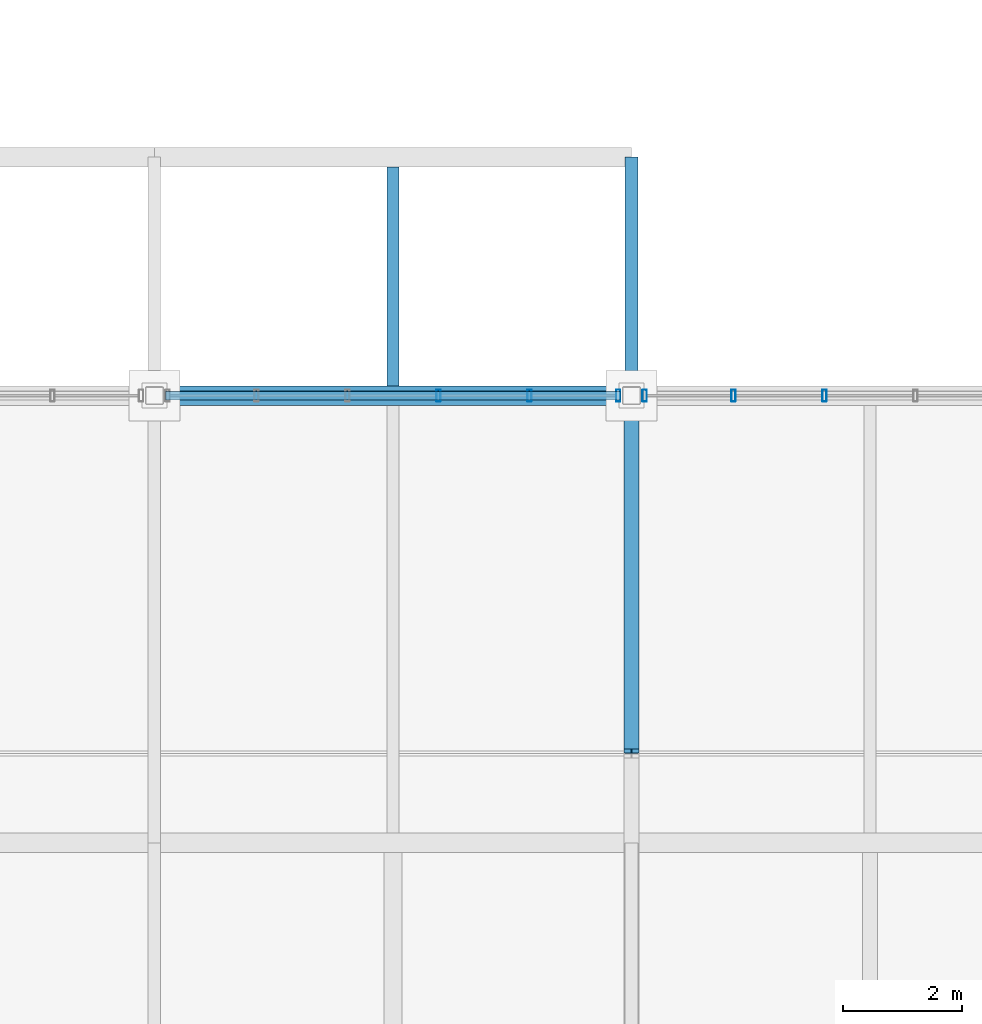
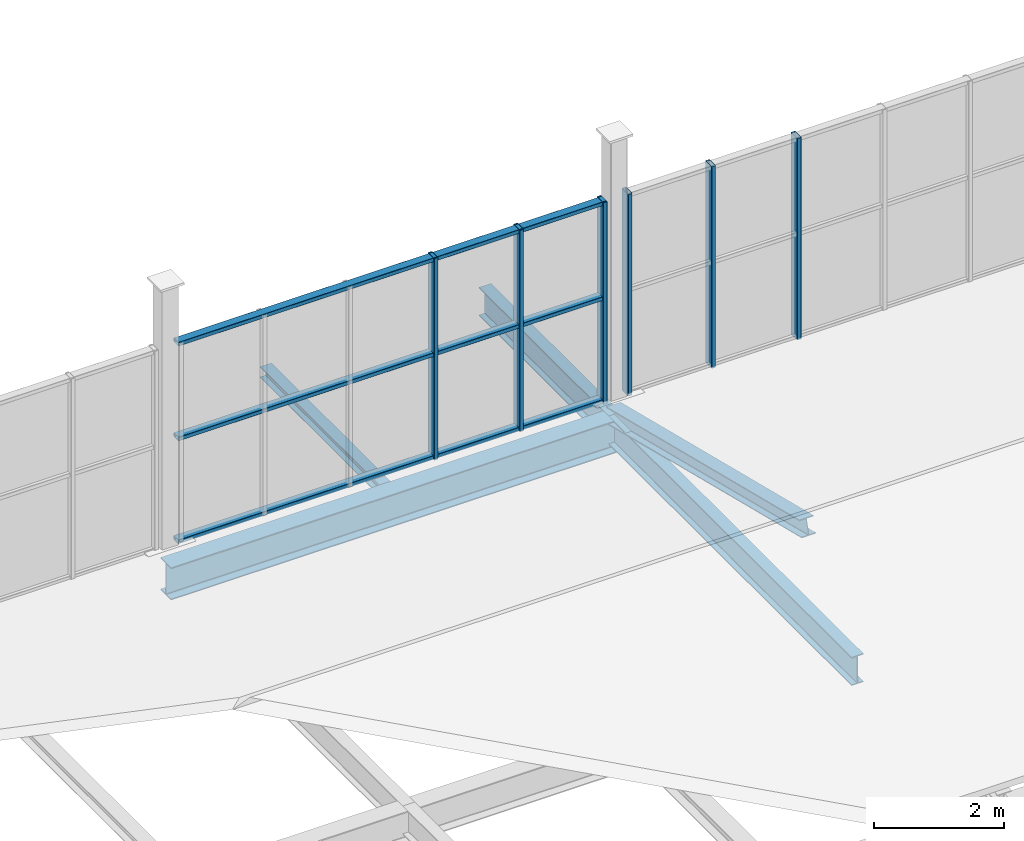
# One storey, part 42 of 96: 10 members, 4 beams, 2 elements without a shape of their own.
"""IFC4 building model written with IfcOpenShell, lengths in metres."""

import ifcopenshell
import ifcopenshell.guid

model = None  # the IFC model being written
_history = None  # IfcOwnerHistory: only IFC2X3 demands one
_inside = {}  # id of a spatial element -> (the spatial element, [elements in it])
_under = {}  # id of a project, library or spatial element -> (it, [spatial elements below it])
_declared = {}  # id of a project -> (the project, [libraries it declares])
_typed = {}  # id of a type object -> (the type object, [elements of that type])
_made_of = {}  # id of a material, layer set ... -> (it, [elements and type objects made of it])


def new_model(schema):
    """Start an empty IFC model of exactly this schema.

    Asked for "IFC4X3", IfcOpenShell would pick the latest addendum, in which some entities
    have other attributes; the version numbers below select the first issue.
    IFC2X3 requires an IfcOwnerHistory on every rooted entity: one is made here for all.
    """
    global model, _history
    if schema == "IFC4X3":
        model = ifcopenshell.file(schema_version=(4, 3, 0, 0))
    else:
        model = ifcopenshell.file(schema=schema)
    _inside.clear()
    _under.clear()
    _declared.clear()
    _typed.clear()
    _made_of.clear()
    _history = None
    if model.schema == "IFC2X3":
        org = make("IfcOrganization", Name="unknown")
        user = make(
            "IfcPersonAndOrganization",
            ThePerson=make("IfcPerson", FamilyName="unknown"),
            TheOrganization=org,
        )
        app = make(
            "IfcApplication",
            ApplicationDeveloper=org,
            Version="unknown",
            ApplicationFullName="unknown",
            ApplicationIdentifier="unknown",
        )
        _history = make(
            "IfcOwnerHistory",
            OwningUser=user,
            OwningApplication=app,
            ChangeAction="ADDED",
            CreationDate=0,
        )
    return model


def make(cls, **values):
    """One entity of the class cls with the attributes given. An attribute that is None is left unset."""
    return model.create_entity(
        cls, **{name: value for name, value in values.items() if value is not None}
    )


def rooted(cls, **values):
    """An entity with a GlobalId (a new one), such as an element, a storey or a relation."""
    return make(cls, GlobalId=ifcopenshell.guid.new(), OwnerHistory=_history, **values)


def si_unit(unit_type, name, prefix=None):
    """IfcSIUnit, for example si_unit("LENGTHUNIT", "METRE", prefix="MILLI")."""
    return make("IfcSIUnit", UnitType=unit_type, Prefix=prefix, Name=name)


def assignment(units):
    """IfcUnitAssignment: the units of a project."""
    return None if units is None else make("IfcUnitAssignment", Units=units)


def point(xyz):
    """IfcCartesianPoint."""
    return None if xyz is None else make("IfcCartesianPoint", Coordinates=xyz)


def direction(xyz):
    """IfcDirection."""
    return None if xyz is None else make("IfcDirection", DirectionRatios=xyz)


def frame(location, z_axis=None, x_axis=None):
    """IfcAxis2Placement3D, a coordinate frame: its origin and axes. An axis left out is left unset."""
    return make(
        "IfcAxis2Placement3D",
        Location=point(location),
        Axis=direction(z_axis),
        RefDirection=direction(x_axis),
    )


def frame_2d(location, x_axis=None):
    """IfcAxis2Placement2D, a coordinate frame in the plane: its origin and x axis."""
    return make(
        "IfcAxis2Placement2D", Location=point(location), RefDirection=direction(x_axis)
    )


def origin():
    """The frame at (0, 0, 0) with its axes left unset."""
    return frame((0.0, 0.0, 0.0))


def origin_2d():
    """The frame at (0, 0) in the plane with its x axis left unset."""
    return frame_2d((0.0, 0.0))


def place(relative_to, where):
    """IfcLocalPlacement: puts the frame where relative to a parent placement (None: the world)."""
    return make(
        "IfcLocalPlacement", PlacementRelTo=relative_to, RelativePlacement=where
    )


def context(
    kind, dimensions, precision=None, world=None, true_north=None, identifier=None
):
    """IfcGeometricRepresentationContext, for example the 3D "Model" context."""
    return make(
        "IfcGeometricRepresentationContext",
        ContextIdentifier=identifier,
        ContextType=kind,
        CoordinateSpaceDimension=dimensions,
        Precision=precision,
        WorldCoordinateSystem=world,
        TrueNorth=true_north,
    )


def subcontext(parent, identifier, kind, view, scale=None):
    """IfcGeometricRepresentationSubContext, for example "Body" below "Model"."""
    return make(
        "IfcGeometricRepresentationSubContext",
        ContextIdentifier=identifier,
        ContextType=kind,
        ParentContext=parent,
        TargetScale=scale,
        TargetView=view,
    )


def project(units=None, contexts=None):
    """IfcProject with its units and contexts."""
    return rooted(
        "IfcProject",
        Name="project",
        RepresentationContexts=contexts,
        UnitsInContext=assignment(units),
    )


def spatial(cls, under=None, at=None, **own):
    """A site, building, storey or space (cls), placed at a placement, below another one or the project."""
    s = rooted(cls, ObjectPlacement=at, **own)
    if under is not None:
        _under.setdefault(under.id(), (under, []))[1].append(s)
    return s


def profile(cls, at=None, kind="AREA", **sizes):
    """A parametric profile (cls). Its sizes go by their IFC names, for example OverallWidth=200.0."""
    return make(cls, ProfileType=kind, Position=at, **sizes)


def hollow_rectangle(**sizes):
    """IfcRectangleHollowProfileDef."""
    return profile("IfcRectangleHollowProfileDef", **sizes)


def i_section(**sizes):
    """IfcIShapeProfileDef."""
    return profile("IfcIShapeProfileDef", **sizes)


def extrude(swept, where, along, depth):
    """IfcExtrudedAreaSolid: the profile swept, set in the frame where, extruded along a direction by depth."""
    return make(
        "IfcExtrudedAreaSolid",
        SweptArea=swept,
        Position=where,
        ExtrudedDirection=direction(along),
        Depth=depth,
    )


def shape(context_of_items, identifier, shape_type, items):
    """IfcShapeRepresentation: the items that make up one representation, for example the "Body"."""
    return make(
        "IfcShapeRepresentation",
        ContextOfItems=context_of_items,
        RepresentationIdentifier=identifier,
        RepresentationType=shape_type,
        Items=items,
    )


def material(Name=None, Category=None):
    """IfcMaterial."""
    return make("IfcMaterial", Name=Name, Category=Category)


def material_profile(
    of_material, cross_section, Name=None, Category=None, Priority=None
):
    """IfcMaterialProfile: a cross section and its material."""
    return make(
        "IfcMaterialProfile",
        Name=Name,
        Material=of_material,
        Profile=cross_section,
        Priority=Priority,
        Category=Category,
    )


def profile_set(profiles, Name=None, composite=None):
    """IfcMaterialProfileSet."""
    return make(
        "IfcMaterialProfileSet",
        Name=Name,
        MaterialProfiles=profiles,
        CompositeProfile=composite,
    )


def made_of(thing, what):
    """Note that an element or type object is made of a material, layer set ...; save() writes the relation."""
    if what is not None:
        _made_of.setdefault(what.id(), (what, []))[1].append(thing)
    return thing


def type_object(cls, material=None, **own):
    """A type object (cls), such as IfcWallType, which elements share."""
    return made_of(rooted(cls, **own), material)


def element(
    cls,
    number,
    at=None,
    inside=None,
    cuts=None,
    type_object=None,
    material=None,
    context=None,
    identifier="Body",
    shape_type=None,
    held_by="IfcProductDefinitionShape",
    body=None,
    shapes=None,
    **own,
):
    """One element of the class cls, such as IfcWall. Its Tag is "e" and its number.

    at: its placement. inside: the storey or other place that contains it. cuts: it is an
    opening in that element (IfcRelVoidsElement). A single representation is given by context,
    identifier, shape_type and body (its items); several are given by shapes. held_by: the class
    of the entity that holds the representations. save() writes the other relations.
    """
    e = rooted(cls, Tag="e%d" % number, ObjectPlacement=at, **own)
    if body is not None:
        shapes = [shape(context, identifier, shape_type, body)]
    if shapes is not None:
        e.Representation = make(held_by, Representations=shapes)
    if inside is not None:
        _inside.setdefault(inside.id(), (inside, []))[1].append(e)
    if cuts is not None:
        rooted(
            "IfcRelVoidsElement", RelatingBuildingElement=cuts, RelatedOpeningElement=e
        )
    if type_object is not None:
        _typed.setdefault(type_object.id(), (type_object, []))[1].append(e)
    return made_of(e, material)


def aggregate(whole, parts):
    """IfcRelAggregates: a whole, such as a stair, and the parts it consists of."""
    return rooted("IfcRelAggregates", RelatingObject=whole, RelatedObjects=parts)


def save(model, path):
    """Write the relations noted so far, then the file.

    IfcRelAggregates (storeys below a building ...), IfcRelContainedInSpatialStructure (elements
    in a storey), IfcRelDefinesByType, IfcRelAssociatesMaterial and IfcRelDeclares: one each for
    every whole, place, type object, material and project.
    """
    for whole, parts in _under.values():
        aggregate(whole, parts)
    for where, things in _inside.values():
        rooted(
            "IfcRelContainedInSpatialStructure",
            RelatedElements=things,
            RelatingStructure=where,
        )
    for kind, things in _typed.values():
        rooted("IfcRelDefinesByType", RelatedObjects=things, RelatingType=kind)
    for what, things in _made_of.values():
        rooted("IfcRelAssociatesMaterial", RelatedObjects=things, RelatingMaterial=what)
    for by, libraries in _declared.values():
        rooted("IfcRelDeclares", RelatingContext=by, RelatedDefinitions=libraries)
    model.write(path)


model = new_model("IFC4")

# Units and contexts
model_context = context("Model", 3, precision=1e-05, world=origin(), true_north=direction((0.0, 1.0)))
body_context = subcontext(model_context, "Body", "Model", "MODEL_VIEW")
ifc_project = project(units=[si_unit("LENGTHUNIT", "METRE"), si_unit("AREAUNIT", "SQUARE_METRE"), si_unit("VOLUMEUNIT", "CUBIC_METRE"), si_unit("PLANEANGLEUNIT", "RADIAN"), si_unit("MASSUNIT", "GRAM", prefix="KILO")], contexts=[model_context])

# Site, building, storey
site_placement = place(None, origin())
site = spatial("IfcSite", under=ifc_project, at=site_placement, CompositionType="ELEMENT")
building_placement = place(site_placement, origin())
building = spatial("IfcBuilding", under=site, at=building_placement, Name="Verrall Gate Interchange", CompositionType="ELEMENT")
storey_placement = place(building_placement, frame((0.0, 0.0, 11.39990234375)))
storey = spatial("IfcBuildingStorey", under=building, at=storey_placement, Name="L03", CompositionType="ELEMENT", Elevation=11.39990234375)

# Beams
ifc_material_1 = material(Name="Structural Steel CSA G40.21 350WT Cat 4", Category="steel")
ifc_material_profile_1 = material_profile(ifc_material_1, i_section(OverallWidth=0.323974609375, OverallDepth=0.611083984375, WebThickness=0.0126953125, FlangeThickness=0.01904296875, FilletRadius=0.014892578125, at=origin_2d()), Name="W610x155")
ifc_profile_set_1 = profile_set([ifc_material_profile_1], Name="Structural Steel CSA G40.21 350WT Cat 4")
beam_type_1 = type_object("IfcBeamType", Name="B-08 Structural Beam W610x155", PredefinedType="BEAM", material=ifc_profile_set_1)
beam_1_placement = place(storey_placement, frame((84.0, 12.0, -0.635498046875), z_axis=(1.0, 0.0, 0.0), x_axis=(0.0, 1.0, 0.0)))
element("IfcBeam", 1, at=beam_1_placement, inside=storey, type_object=beam_type_1, Name="L03 Girder BM-L03-2018 (B-08)", PredefinedType="BEAM", context=body_context, shape_type="SweptSolid", body=[
    extrude(i_section(OverallWidth=0.323974609375, OverallDepth=0.611083984375, WebThickness=0.0126953125, FlangeThickness=0.01904296875, FilletRadius=0.014892578125, at=origin_2d()), origin(), (0.0, 0.0, 1.0), 8.0),
])
ifc_material_2 = material(Name="Structural Steel CSA G40.21 350W", Category="steel")
ifc_material_profile_2 = material_profile(ifc_material_2, i_section(OverallWidth=0.2109375, OverallDepth=0.5390625, WebThickness=0.01171875, FlangeThickness=0.018798828125, FilletRadius=0.013916015625, at=origin_2d()), Name="W530x109")
ifc_profile_set_2 = profile_set([ifc_material_profile_2], Name="Structural Steel CSA G40.21 350W")
beam_type_2 = type_object("IfcBeamType", Name="B-10 Structural Beam W530x109", PredefinedType="BEAM", material=ifc_profile_set_2)
beam_2_placement = place(storey_placement, frame((92.0, 4.5, -0.599365234375), z_axis=(0.0, 1.0, 0.0), x_axis=(-1.0, 0.0, 0.0)))
element("IfcBeam", 2, at=beam_2_placement, inside=storey, type_object=beam_type_2, Name="L03 Girder BM-L03-2302 (B-10)", PredefinedType="BEAM", context=body_context, shape_type="SweptSolid", body=[
    extrude(i_section(OverallWidth=0.2109375, OverallDepth=0.5390625, WebThickness=0.01171875, FlangeThickness=0.018798828125, FilletRadius=0.013916015625, at=origin_2d()), origin(), (0.0, 0.0, 1.0), 7.5),
])
beam_3_placement = place(storey_placement, frame((92.0, 12.0, -0.599365234375), z_axis=(0.0, 1.0, 0.0), x_axis=(-1.0, 0.0, 0.0)))
element("IfcBeam", 3, at=beam_3_placement, inside=storey, type_object=beam_type_2, Name="L03 Girder BM-L03-2303 (B-10)", PredefinedType="BEAM", context=body_context, shape_type="SweptSolid", body=[
    extrude(i_section(OverallWidth=0.2109375, OverallDepth=0.5390625, WebThickness=0.01171875, FlangeThickness=0.018798828125, FilletRadius=0.013916015625, at=origin_2d()), origin(), (0.0, 0.0, 1.0), 4.0),
])

# Curtain wall, members
ifc_material_3 = material(Name="Thermally Broken Anodized Aluminium Curtain Wall Framing", Category="aluminium")
curtain_wall_type = type_object("IfcCurtainWallType", Name="CW-53 Unitized Curtain Wall 7631x3800", PredefinedType="NOTDEFINED", material=ifc_material_3)
curtain_wall_1_placement = place(storey_placement, origin())
curtain_wall_1 = element("IfcCurtainWall", 4, at=curtain_wall_1_placement, inside=storey, type_object=curtain_wall_type, Name="L03 Unitized Curtain Wall CW-L03-CLR-170", PredefinedType="NOTDEFINED")
ifc_material_4 = material(Name="Thermally Broken Anodized Aluminium Curtain Wall Framing", Category="aluminium")
ifc_material_profile_3 = material_profile(ifc_material_4, hollow_rectangle(XDim=0.074951171875, YDim=0.199951171875, WallThickness=0.0048828125, InnerFilletRadius=0.0048828125, OuterFilletRadius=0.010009765625, at=origin_2d()), Name="CWM200x75x5")
ifc_profile_set_3 = profile_set([ifc_material_profile_3], Name="Thermally Broken Anodized Aluminium Curtain Wall Framing")
member_type_1 = type_object("IfcMemberType", Name="CM-02 Curtain Mullion CWM200x75x5", PredefinedType="MULLION", material=ifc_profile_set_3)
member_1_placement = place(storey_placement, frame((88.76318359375, 12.0, 0.0), z_axis=(0.0, 0.0, 1.0), x_axis=(1.0, 0.0, 0.0)))
member_1 = element("IfcMember", 5, at=member_1_placement, type_object=member_type_1, Name="CW-L03-CLR-170 Mullion 4", PredefinedType="MULLION", context=body_context, shape_type="SweptSolid", body=[
    extrude(hollow_rectangle(XDim=0.074951171875, YDim=0.199951171875, WallThickness=0.0048828125, InnerFilletRadius=0.0048828125, OuterFilletRadius=0.010009765625, at=origin_2d()), origin(), (0.0, 0.0, 1.0), 3.800048828125),
])
member_2_placement = place(storey_placement, frame((90.289306640625, 12.0, 0.0), z_axis=(0.0, 0.0, 1.0), x_axis=(1.0, 0.0, 0.0)))
member_2 = element("IfcMember", 6, at=member_2_placement, type_object=member_type_1, Name="CW-L03-CLR-170 Mullion 5", PredefinedType="MULLION", context=body_context, shape_type="SweptSolid", body=[
    extrude(hollow_rectangle(XDim=0.074951171875, YDim=0.199951171875, WallThickness=0.0048828125, InnerFilletRadius=0.0048828125, OuterFilletRadius=0.010009765625, at=origin_2d()), origin(), (0.0, 0.0, 1.0), 3.800048828125),
])
member_3_placement = place(storey_placement, frame((91.778076171875, 12.0, 0.0), z_axis=(0.0, 0.0, 1.0), x_axis=(1.0, 0.0, 0.0)))
member_3 = element("IfcMember", 7, at=member_3_placement, type_object=member_type_1, Name="CW-L03-CLR-170 Mullion 6", PredefinedType="MULLION", context=body_context, shape_type="SweptSolid", body=[
    extrude(hollow_rectangle(XDim=0.074951171875, YDim=0.199951171875, WallThickness=0.0048828125, InnerFilletRadius=0.0048828125, OuterFilletRadius=0.010009765625, at=origin_2d()), origin(), (0.0, 0.0, 1.0), 3.800048828125),
])

curtain_wall_2_placement = place(storey_placement, origin())
curtain_wall_2 = element("IfcCurtainWall", 8, at=curtain_wall_2_placement, inside=storey, type_object=curtain_wall_type, Name="L03 Unitized Curtain Wall CW-L03-CLR-171", PredefinedType="NOTDEFINED")
member_4_placement = place(storey_placement, frame((92.221923828125, 12.0, 0.0), z_axis=(0.0, 0.0, 1.0), x_axis=(1.0, 0.0, 0.0)))
member_4 = element("IfcMember", 9, at=member_4_placement, type_object=member_type_1, Name="CW-L03-CLR-171 Mullion 1", PredefinedType="MULLION", context=body_context, shape_type="SweptSolid", body=[
    extrude(hollow_rectangle(XDim=0.074951171875, YDim=0.199951171875, WallThickness=0.0048828125, InnerFilletRadius=0.0048828125, OuterFilletRadius=0.010009765625, at=origin_2d()), origin(), (0.0, 0.0, 1.0), 3.800048828125),
])
member_5_placement = place(storey_placement, frame((93.710693359375, 12.0, 0.0), z_axis=(0.0, 0.0, 1.0), x_axis=(1.0, 0.0, 0.0)))
member_5 = element("IfcMember", 10, at=member_5_placement, type_object=member_type_1, Name="CW-L03-CLR-171 Mullion 2", PredefinedType="MULLION", context=body_context, shape_type="SweptSolid", body=[
    extrude(hollow_rectangle(XDim=0.074951171875, YDim=0.199951171875, WallThickness=0.0048828125, InnerFilletRadius=0.0048828125, OuterFilletRadius=0.010009765625, at=origin_2d()), origin(), (0.0, 0.0, 1.0), 3.800048828125),
])
member_6_placement = place(storey_placement, frame((95.23681640625, 12.0, 0.0), z_axis=(0.0, 0.0, 1.0), x_axis=(1.0, 0.0, 0.0)))
member_6 = element("IfcMember", 11, at=member_6_placement, type_object=member_type_1, Name="CW-L03-CLR-171 Mullion 3", PredefinedType="MULLION", context=body_context, shape_type="SweptSolid", body=[
    extrude(hollow_rectangle(XDim=0.074951171875, YDim=0.199951171875, WallThickness=0.0048828125, InnerFilletRadius=0.0048828125, OuterFilletRadius=0.010009765625, at=origin_2d()), origin(), (0.0, 0.0, 1.0), 3.800048828125),
])
aggregate(curtain_wall_2, [member_4, member_5, member_6])

# Member
ifc_material_5 = material(Name="Thermally Broken Anodized Aluminium Curtain Wall Framing", Category="aluminium")
ifc_material_profile_4 = material_profile(ifc_material_5, hollow_rectangle(XDim=0.14990234375, YDim=0.074951171875, WallThickness=0.00439453125, InnerFilletRadius=0.00439453125, OuterFilletRadius=0.009033203125, at=origin_2d()), Name="CWT150x75x4.5")
ifc_profile_set_4 = profile_set([ifc_material_profile_4], Name="Thermally Broken Anodized Aluminium Curtain Wall Framing")
member_type_2 = type_object("IfcMemberType", Name="CT-02 Curtain Transom CWT150x75x4.5", PredefinedType="USERDEFINED", material=ifc_profile_set_4)
member_7_placement = place(storey_placement, frame((84.1845703125, 12.0, 0.03759765625), z_axis=(1.0, 0.0, 0.0), x_axis=(0.0, 1.0, 0.0)))
member_7 = element("IfcMember", 12, at=member_7_placement, type_object=member_type_2, Name="CW-L03-CLR-170 Transom 1", ObjectType="TRANSOM", PredefinedType="USERDEFINED", context=body_context, shape_type="SweptSolid", body=[
    extrude(hollow_rectangle(XDim=0.14990234375, YDim=0.074951171875, WallThickness=0.00439453125, InnerFilletRadius=0.00439453125, OuterFilletRadius=0.009033203125, at=origin_2d()), origin(), (0.0, 0.0, 1.0), 7.630859375),
])

member_8_placement = place(storey_placement, frame((84.1845703125, 12.0, 1.97607421875), z_axis=(1.0, 0.0, 0.0), x_axis=(0.0, 1.0, 0.0)))
member_8 = element("IfcMember", 13, at=member_8_placement, type_object=member_type_2, Name="CW-L03-CLR-170 Transom 2", ObjectType="TRANSOM", PredefinedType="USERDEFINED", context=body_context, shape_type="SweptSolid", body=[
    extrude(hollow_rectangle(XDim=0.14990234375, YDim=0.074951171875, WallThickness=0.00439453125, InnerFilletRadius=0.00439453125, OuterFilletRadius=0.009033203125, at=origin_2d()), origin(), (0.0, 0.0, 1.0), 7.630859375),
])

member_9_placement = place(storey_placement, frame((84.1845703125, 12.0, 3.7626953125), z_axis=(1.0, 0.0, 0.0), x_axis=(0.0, 1.0, 0.0)))
member_9 = element("IfcMember", 14, at=member_9_placement, type_object=member_type_2, Name="CW-L03-CLR-170 Transom 3", ObjectType="TRANSOM", PredefinedType="USERDEFINED", context=body_context, shape_type="SweptSolid", body=[
    extrude(hollow_rectangle(XDim=0.14990234375, YDim=0.074951171875, WallThickness=0.00439453125, InnerFilletRadius=0.00439453125, OuterFilletRadius=0.009033203125, at=origin_2d()), origin(), (0.0, 0.0, 1.0), 7.630859375),
])

aggregate(curtain_wall_1, [member_1, member_2, member_3, member_7, member_8, member_9])

# Beam
ifc_material_6 = material(Name="Structural Steel CSA G40.21 350W", Category="steel")
ifc_material_profile_5 = material_profile(ifc_material_6, i_section(OverallWidth=0.202880859375, OverallDepth=0.202880859375, WebThickness=0.007080078125, FlangeThickness=0.010986328125, FilletRadius=0.010009765625, at=origin_2d()), Name="W200x46")
ifc_profile_set_5 = profile_set([ifc_material_profile_5], Name="Structural Steel CSA G40.21 350W")
beam_type_3 = type_object("IfcBeamType", Name="J-07 Floor Joist W200x46", PredefinedType="JOIST", material=ifc_profile_set_5)
beam_4_placement = place(storey_placement, frame((88.0, 12.162109375, -0.431396484375), z_axis=(0.0, 1.0, 0.0), x_axis=(-1.0, 0.0, 0.0)))
element("IfcBeam", 15, at=beam_4_placement, inside=storey, type_object=beam_type_3, Name="L03 Secondary Floor Joist JST-L03-2416", PredefinedType="JOIST", context=body_context, shape_type="SweptSolid", body=[
    extrude(i_section(OverallWidth=0.202880859375, OverallDepth=0.202880859375, WebThickness=0.007080078125, FlangeThickness=0.010986328125, FilletRadius=0.010009765625, at=origin_2d()), origin(), (0.0, 0.0, 1.0), 3.67578125),
])

# Member
ifc_material_7 = material(Name="Structural Steel CSA G40.21 350WT Cat 4", Category="steel")
ifc_material_profile_6 = material_profile(ifc_material_7, i_section(OverallWidth=0.25390625, OverallDepth=0.305908203125, WebThickness=0.0087890625, FlangeThickness=0.0146484375, FilletRadius=0.012939453125, at=origin_2d()), Name="W310x79")
ifc_profile_set_6 = profile_set([ifc_material_profile_6], Name="Structural Steel CSA G40.21 350WT Cat 4")
member_type_3 = type_object("IfcMemberType", Name="RF-03 Folded Roof Rafter W310x79", PredefinedType="RAFTER", material=ifc_profile_set_6)
member_10_placement = place(storey_placement, frame((92.0, 12.0, -0.31982421875), z_axis=(0.0, -0.970524816174, 0.241001205786), x_axis=(1.0, 0.0, 0.0)))
element("IfcMember", 16, at=member_10_placement, inside=storey, type_object=member_type_3, Name="Portico Roof Rafter N 92", PredefinedType="RAFTER", context=body_context, shape_type="SweptSolid", body=[
    extrude(i_section(OverallWidth=0.25390625, OverallDepth=0.305908203125, WebThickness=0.0087890625, FlangeThickness=0.0146484375, FilletRadius=0.012939453125, at=origin_2d()), origin(), (0.0, 0.0, 1.0), 6.140869140625),
])

save(model, "model.ifc")
